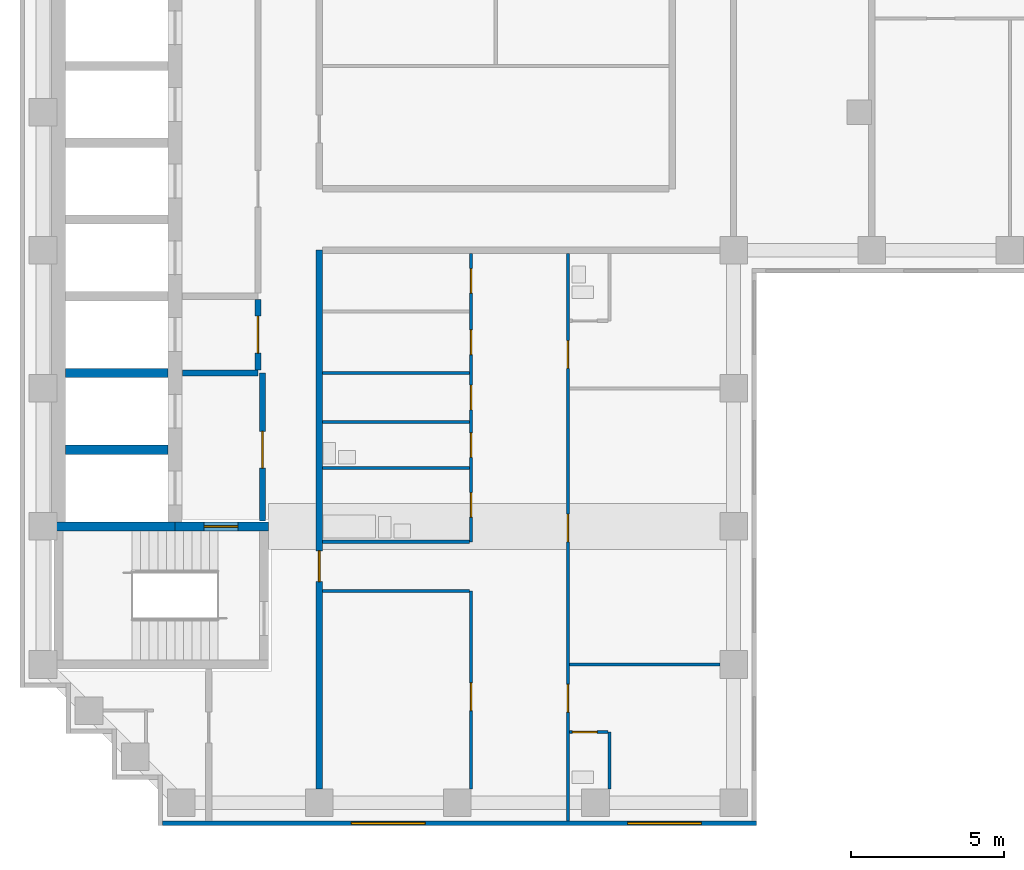
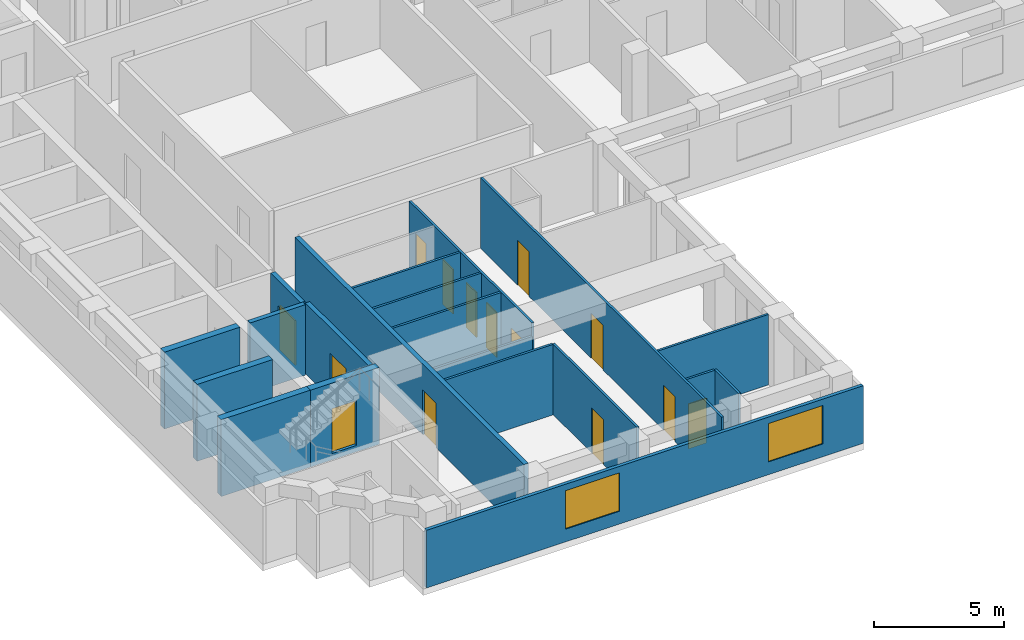
# One storey, part 2 of 8: 20 walls, 14 doors, 2 windows, 16 openings.
"""IFC4 building model written with IfcOpenShell, lengths in metres."""

from ifc_helpers import new_model, si_unit, direction, frame, frame_2d, origin, place, context, subcontext, project, spatial, rectangle, extrude, material, layer, layer_set, type_object, element, fill, save


model = new_model("IFC4")

# Units and contexts
model_context = context("Model", 3, precision=1e-05, world=origin(), true_north=direction((0.0, 1.0)))
body_context = subcontext(model_context, "Body", "Model", "MODEL_VIEW")
ifc_project = project(units=[si_unit("LENGTHUNIT", "METRE"), si_unit("AREAUNIT", "SQUARE_METRE"), si_unit("VOLUMEUNIT", "CUBIC_METRE"), si_unit("PLANEANGLEUNIT", "RADIAN"), si_unit("MASSUNIT", "GRAM", prefix="KILO")], contexts=[model_context])

# Site, building, storey
site_placement = place(None, origin())
site = spatial("IfcSite", under=ifc_project, at=site_placement, CompositionType="ELEMENT")
building_placement = place(site_placement, origin())
building = spatial("IfcBuilding", under=site, at=building_placement, Name="Firuza Court", CompositionType="ELEMENT")
storey_placement = place(building_placement, frame((0.0, 0.0, 251.0)))
storey = spatial("IfcBuildingStorey", under=building, at=storey_placement, Name="L65", CompositionType="ELEMENT", Elevation=251.0)

# Wall
ifc_material_1 = material(Name="Moisture-resistant gypsum board partition")
ifc_layer_1 = layer(ifc_material_1, 0.10009765625)
ifc_layer_set_1 = layer_set([ifc_layer_1], Name="Moisture-resistant gypsum board partition")
wall_type_1 = type_object("IfcWallType", Name="Bathroom partition 100", PredefinedType="PLUMBINGWALL", material=ifc_layer_set_1)
wall_1_placement = place(storey_placement, frame((18.449951171875, 18.449951171875, 0.0), z_axis=(0.0, 0.0, 1.0), x_axis=(0.0, 1.0, 0.0)))
element("IfcWall", 1, at=wall_1_placement, inside=storey, type_object=wall_type_1, Name="Bathroom partition 100 L65", PredefinedType="PLUMBINGWALL", context=body_context, shape_type="SweptSolid", body=[
    extrude(rectangle(XDim=1.85009765625, YDim=0.10009765625, at=frame_2d((0.925048828125, 0.0))), origin(), (0.0, 0.0, 1.0), 3.300048828125),
])

# Wall, opening, door
wall_2_placement = place(storey_placement, frame((17.14990234375, 20.300048828125, 0.0), z_axis=(0.0, 0.0, 1.0), x_axis=(1.0, 0.0, 0.0)))
wall_2 = element("IfcWall", 2, at=wall_2_placement, inside=storey, type_object=wall_type_1, Name="Bathroom partition 100 L65", PredefinedType="PLUMBINGWALL", context=body_context, shape_type="SweptSolid", body=[
    extrude(rectangle(XDim=1.25, YDim=0.10009765625, at=frame_2d((0.625, 0.0))), origin(), (0.0, 0.0, 1.0), 3.300048828125),
])
opening_1_placement = place(wall_2_placement, frame((0.10009765625, 0.0, 0.0)))
opening_1 = element("IfcOpeningElement", 3, at=opening_1_placement, cuts=wall_2, Name="Opening D65018", PredefinedType="OPENING", context=body_context, shape_type="SweptSolid", body=[
    extrude(rectangle(XDim=0.800048828125, YDim=2.10009765625, at=frame_2d((0.39990234375, 1.050048828125))), frame((0.0, 0.06201171875, 0.0), z_axis=(0.0, -1.0, 0.0), x_axis=(1.0, 0.0, 0.0)), (0.0, 0.0, 1.0), 0.1240234375),
])
ifc_material_2 = material(Name="Timber door leaf in hardwood frame", Category="wood")
door_type_1 = type_object("IfcDoorType", Name="Bathroom door 800", OperationType="SINGLE_SWING_LEFT", PredefinedType="DOOR", material=ifc_material_2)
door_1_placement = place(opening_1_placement, frame((0.800048828125, 0.0, 0.0), z_axis=(0.0, 0.0, 1.0), x_axis=(-1.0, 0.0, 0.0)))
door_1 = element("IfcDoor", 4, at=door_1_placement, inside=storey, type_object=door_type_1, Name="En-suite door", OperationType="SINGLE_SWING_RIGHT", OverallHeight=2.10009765625, OverallWidth=0.800048828125, PredefinedType="DOOR", context=body_context, shape_type="SweptSolid", body=[
    extrude(rectangle(XDim=0.800048828125, YDim=2.10009765625, at=frame_2d((0.39990234375, 1.050048828125))), frame((0.0, 0.02490234375, 0.0), z_axis=(0.0, -1.0, 0.0), x_axis=(1.0, 0.0, 0.0)), (0.0, 0.0, 1.0), 0.050048828125),
])
fill(opening_1, door_1)

# Walls
wall_3_placement = place(storey_placement, frame((9.10009765625, 26.5, 0.0), z_axis=(0.0, 0.0, 1.0), x_axis=(1.0, 0.0, 0.0)))
element("IfcWall", 5, at=wall_3_placement, inside=storey, type_object=wall_type_1, Name="Bathroom partition 100 L65", PredefinedType="PLUMBINGWALL", context=body_context, shape_type="SweptSolid", body=[
    extrude(rectangle(XDim=4.7998046875, YDim=0.10009765625, at=frame_2d((2.39990234375, 0.0))), origin(), (0.0, 0.0, 1.0), 2.699951171875),
])
for number, where, z_axis, x_axis, name in (
    (6, (9.10009765625, 28.89990234375, 0.0), (0.0, 0.0, 1.0), (1.0, 0.0, 0.0), "Bathroom partition 100 L65"),
    (7, (9.10009765625, 30.39990234375, 0.0), (0.0, 0.0, 1.0), (1.0, 0.0, 0.0), "Bathroom partition 100 L65"),
):
    element("IfcWall", number, at=place(storey_placement, frame(where, z_axis=z_axis, x_axis=x_axis)), inside=storey, type_object=wall_type_1, Name=name, PredefinedType="PLUMBINGWALL", context=body_context, shape_type="SweptSolid", body=[
        extrude(rectangle(XDim=4.7998046875, YDim=0.10009765625, at=frame_2d((2.39990234375, 0.0))), origin(), (0.0, 0.0, 1.0), 3.300048828125),
    ])
ifc_material_3 = material(Name="Concrete C50/60", Category="concrete")
ifc_layer_2 = layer(ifc_material_3, 0.300048828125)
ifc_layer_set_2 = layer_set([ifc_layer_2], Name="Concrete C50/60")
wall_type_2 = type_object("IfcWallType", Name="Core wall 300 C50/60", PredefinedType="SHEAR", material=ifc_layer_set_2)
wall_4_placement = place(storey_placement, frame((0.35009765625, 27.0, -0.300048828125), z_axis=(0.0, 0.0, 1.0), x_axis=(1.0, 0.0, 0.0)))
element("IfcWall", 8, at=wall_4_placement, inside=storey, type_object=wall_type_2, Name="Core wall lift shaft L65", PredefinedType="SHEAR", context=body_context, shape_type="SweptSolid", body=[
    extrude(rectangle(XDim=3.949951171875, YDim=0.300048828125, at=frame_2d((1.97509765625, 0.0))), origin(), (0.0, 0.0, 1.0), 3.60009765625),
])
for number, where, z_axis, x_axis, name in (
    (9, (0.72509765625, 29.5, -0.300048828125), (0.0, 0.0, 1.0), (1.0, 0.0, 0.0), "Core wall lift shaft L65"),
    (10, (0.72509765625, 32.0, -0.300048828125), (0.0, 0.0, 1.0), (1.0, 0.0, 0.0), "Core wall lift shaft L65"),
):
    element("IfcWall", number, at=place(storey_placement, frame(where, z_axis=z_axis, x_axis=x_axis)), inside=storey, type_object=wall_type_2, Name=name, PredefinedType="SHEAR", context=body_context, shape_type="SweptSolid", body=[
        extrude(rectangle(XDim=3.349853515625, YDim=0.300048828125, at=frame_2d((1.6748046875, 0.0))), origin(), (0.0, 0.0, 1.0), 3.60009765625),
    ])

# Wall, opening, door
wall_5_placement = place(storey_placement, frame((4.300048828125, 27.0, -0.300048828125), z_axis=(0.0, 0.0, 1.0), x_axis=(1.0, 0.0, 0.0)))
wall_5 = element("IfcWall", 11, at=wall_5_placement, inside=storey, type_object=wall_type_2, Name="Core wall stair L65", PredefinedType="SHEAR", context=body_context, shape_type="SweptSolid", body=[
    extrude(rectangle(XDim=3.050048828125, YDim=0.300048828125, at=frame_2d((1.52490234375, 0.0))), origin(), (0.0, 0.0, 1.0), 3.60009765625),
])
opening_2_placement = place(wall_5_placement, frame((0.949951171875, 0.0, 0.300048828125)))
opening_2 = element("IfcOpeningElement", 12, at=opening_2_placement, cuts=wall_5, Name="Opening D65009", PredefinedType="OPENING", context=body_context, shape_type="SweptSolid", body=[
    extrude(rectangle(XDim=1.10009765625, YDim=2.10009765625, at=frame_2d((0.550048828125, 1.050048828125))), frame((0.0, 0.162109375, 0.0), z_axis=(0.0, -1.0, 0.0), x_axis=(1.0, 0.0, 0.0)), (0.0, 0.0, 1.0), 0.323974609375),
])
ifc_material_4 = material(Name="Timber door leaf in hardwood frame", Category="wood")
door_type_2 = type_object("IfcDoorType", Name="Stair door 1100", OperationType="SINGLE_SWING_LEFT", PredefinedType="DOOR", material=ifc_material_4)
door_2_placement = place(opening_2_placement, frame((1.10009765625, 0.0, 0.0), z_axis=(0.0, 0.0, 1.0), x_axis=(-1.0, 0.0, 0.0)))
door_2 = element("IfcDoor", 13, at=door_2_placement, inside=storey, type_object=door_type_2, Name="Fire-fighting lobby door", OperationType="SINGLE_SWING_LEFT", OverallHeight=2.10009765625, OverallWidth=1.10009765625, PredefinedType="DOOR", context=body_context, shape_type="SweptSolid", body=[
    extrude(rectangle(XDim=1.10009765625, YDim=2.10009765625, at=frame_2d((0.550048828125, 1.050048828125))), frame((0.0, 0.02490234375, 0.0), z_axis=(0.0, -1.0, 0.0), x_axis=(1.0, 0.0, 0.0)), (0.0, 0.0, 1.0), 0.050048828125),
])
fill(opening_2, door_2)

ifc_material_5 = material(Name="Blockwork, plastered both sides", Category="masonry")
ifc_layer_3 = layer(ifc_material_5, 0.199951171875)
ifc_layer_set_3 = layer_set([ifc_layer_3], Name="Blockwork, plastered both sides")
wall_type_3 = type_object("IfcWallType", Name="Corridor wall 200", PredefinedType="PARTITIONING", material=ifc_layer_set_3)
wall_6_placement = place(storey_placement, frame((9.0, 18.449951171875, 0.0), z_axis=(0.0, 0.0, 1.0), x_axis=(0.0, 1.0, 0.0)))
wall_6 = element("IfcWall", 14, at=wall_6_placement, inside=storey, type_object=wall_type_3, Name="Corridor wall 200 L65", PredefinedType="PARTITIONING", context=body_context, shape_type="SweptSolid", body=[
    extrude(rectangle(XDim=17.550048828125, YDim=0.199951171875, at=frame_2d((8.77490234375, 0.0))), origin(), (0.0, 0.0, 1.0), 3.300048828125),
])
opening_3_placement = place(wall_6_placement, frame((6.75, 0.0, 0.0)))
opening_3 = element("IfcOpeningElement", 15, at=opening_3_placement, cuts=wall_6, Name="Opening D65016", PredefinedType="OPENING", context=body_context, shape_type="SweptSolid", body=[
    extrude(rectangle(XDim=1.0, YDim=2.10009765625, at=frame_2d((0.5, 1.050048828125))), frame((0.0, 0.11181640625, 0.0), z_axis=(0.0, -1.0, 0.0), x_axis=(1.0, 0.0, 0.0)), (0.0, 0.0, 1.0), 0.223876953125),
])
ifc_material_6 = material(Name="Timber door leaf in hardwood frame", Category="wood")
door_type_3 = type_object("IfcDoorType", Name="Flat entrance door 1000", OperationType="SINGLE_SWING_LEFT", PredefinedType="DOOR", material=ifc_material_6)
door_3_placement = place(opening_3_placement, origin())
door_3 = element("IfcDoor", 16, at=door_3_placement, inside=storey, type_object=door_type_3, Name="Flat entrance door", OperationType="SINGLE_SWING_LEFT", OverallHeight=2.10009765625, OverallWidth=1.0, PredefinedType="DOOR", context=body_context, shape_type="SweptSolid", body=[
    extrude(rectangle(XDim=1.0, YDim=2.10009765625, at=frame_2d((0.5, 1.050048828125))), frame((0.0, 0.02490234375, 0.0), z_axis=(0.0, -1.0, 0.0), x_axis=(1.0, 0.0, 0.0)), (0.0, 0.0, 1.0), 0.050048828125),
])
fill(opening_3, door_3)

# Wall, openings, doors
ifc_material_7 = material(Name="Timber stud partition, plasterboard both sides", Category="wood")
ifc_layer_4 = layer(ifc_material_7, 0.10009765625)
ifc_layer_set_4 = layer_set([ifc_layer_4], Name="Timber stud partition, plasterboard both sides")
wall_type_4 = type_object("IfcWallType", Name="Partition wall 100", PredefinedType="PARTITIONING", material=ifc_layer_set_4)
wall_7_placement = place(storey_placement, frame((17.10009765625, 17.39990234375, 0.0), z_axis=(0.0, 0.0, 1.0), x_axis=(0.0, 1.0, 0.0)))
wall_7 = element("IfcWall", 17, at=wall_7_placement, inside=storey, type_object=wall_type_4, Name="Partition wall 100 L65", PredefinedType="PARTITIONING", context=body_context, shape_type="SweptSolid", body=[
    extrude(rectangle(XDim=18.5, YDim=0.10009765625, at=frame_2d((9.25, 0.0))), origin(), (0.0, 0.0, 1.0), 3.300048828125),
])
opening_4_placement = place(wall_7_placement, frame((3.550048828125, 0.0, 0.0)))
opening_4 = element("IfcOpeningElement", 18, at=opening_4_placement, cuts=wall_7, Name="Opening D65013", PredefinedType="OPENING", context=body_context, shape_type="SweptSolid", body=[
    extrude(rectangle(XDim=0.89990234375, YDim=2.10009765625, at=frame_2d((0.449951171875, 1.050048828125))), frame((0.0, 0.06201171875, 0.0), z_axis=(0.0, -1.0, 0.0), x_axis=(1.0, 0.0, 0.0)), (0.0, 0.0, 1.0), 0.1240234375),
])
opening_5_placement = place(wall_7_placement, frame((9.10009765625, 0.0, 0.0)))
opening_5 = element("IfcOpeningElement", 19, at=opening_5_placement, cuts=wall_7, Name="Opening D65014", PredefinedType="OPENING", context=body_context, shape_type="SweptSolid", body=[
    extrude(rectangle(XDim=0.89990234375, YDim=2.10009765625, at=frame_2d((0.449951171875, 1.050048828125))), frame((0.0, 0.06201171875, 0.0), z_axis=(0.0, -1.0, 0.0), x_axis=(1.0, 0.0, 0.0)), (0.0, 0.0, 1.0), 0.1240234375),
])
opening_6_placement = place(wall_7_placement, frame((14.75, 0.0, 0.0)))
opening_6 = element("IfcOpeningElement", 20, at=opening_6_placement, cuts=wall_7, Name="Opening D65015", PredefinedType="OPENING", context=body_context, shape_type="SweptSolid", body=[
    extrude(rectangle(XDim=0.89990234375, YDim=2.10009765625, at=frame_2d((0.449951171875, 1.050048828125))), frame((0.0, 0.06201171875, 0.0), z_axis=(0.0, -1.0, 0.0), x_axis=(1.0, 0.0, 0.0)), (0.0, 0.0, 1.0), 0.1240234375),
])
ifc_material_8 = material(Name="Timber door leaf in hardwood frame", Category="wood")
door_type_4 = type_object("IfcDoorType", Name="Room door 900", OperationType="SINGLE_SWING_LEFT", PredefinedType="DOOR", material=ifc_material_8)
door_4_placement = place(opening_4_placement, frame((0.89990234375, 0.0, 0.0), z_axis=(0.0, 0.0, 1.0), x_axis=(-1.0, 0.0, 0.0)))
door_4 = element("IfcDoor", 21, at=door_4_placement, inside=storey, type_object=door_type_4, Name="Bedroom door", OperationType="SINGLE_SWING_RIGHT", OverallHeight=2.10009765625, OverallWidth=0.89990234375, PredefinedType="DOOR", context=body_context, shape_type="SweptSolid", body=[
    extrude(rectangle(XDim=0.89990234375, YDim=2.10009765625, at=frame_2d((0.449951171875, 1.050048828125))), frame((0.0, 0.02490234375, 0.0), z_axis=(0.0, -1.0, 0.0), x_axis=(1.0, 0.0, 0.0)), (0.0, 0.0, 1.0), 0.050048828125),
])
fill(opening_4, door_4)
door_5_placement = place(opening_5_placement, frame((0.89990234375, 0.0, 0.0), z_axis=(0.0, 0.0, 1.0), x_axis=(-1.0, 0.0, 0.0)))
door_5 = element("IfcDoor", 22, at=door_5_placement, inside=storey, type_object=door_type_4, Name="Living room door", OperationType="SINGLE_SWING_RIGHT", OverallHeight=2.10009765625, OverallWidth=0.89990234375, PredefinedType="DOOR", context=body_context, shape_type="SweptSolid", body=[
    extrude(rectangle(XDim=0.89990234375, YDim=2.10009765625, at=frame_2d((0.449951171875, 1.050048828125))), frame((0.0, 0.02490234375, 0.0), z_axis=(0.0, -1.0, 0.0), x_axis=(1.0, 0.0, 0.0)), (0.0, 0.0, 1.0), 0.050048828125),
])
fill(opening_5, door_5)
door_6_placement = place(opening_6_placement, frame((0.89990234375, 0.0, 0.0), z_axis=(0.0, 0.0, 1.0), x_axis=(-1.0, 0.0, 0.0)))
door_6 = element("IfcDoor", 23, at=door_6_placement, inside=storey, type_object=door_type_4, Name="Bedroom door", OperationType="SINGLE_SWING_RIGHT", OverallHeight=2.10009765625, OverallWidth=0.89990234375, PredefinedType="DOOR", context=body_context, shape_type="SweptSolid", body=[
    extrude(rectangle(XDim=0.89990234375, YDim=2.10009765625, at=frame_2d((0.449951171875, 1.050048828125))), frame((0.0, 0.02490234375, 0.0), z_axis=(0.0, -1.0, 0.0), x_axis=(1.0, 0.0, 0.0)), (0.0, 0.0, 1.0), 0.050048828125),
])
fill(opening_6, door_6)

# Wall, opening, door
wall_8_placement = place(storey_placement, frame((13.949951171875, 18.449951171875, 0.0), z_axis=(0.0, 0.0, 1.0), x_axis=(0.0, 1.0, 0.0)))
wall_8 = element("IfcWall", 24, at=wall_8_placement, inside=storey, type_object=wall_type_4, Name="Partition wall 100 L65", PredefinedType="PARTITIONING", context=body_context, shape_type="SweptSolid", body=[
    extrude(rectangle(XDim=6.449951171875, YDim=0.10009765625, at=frame_2d((3.22509765625, 0.0))), origin(), (0.0, 0.0, 1.0), 3.300048828125),
])
opening_7_placement = place(wall_8_placement, frame((2.550048828125, 0.0, 0.0)))
opening_7 = element("IfcOpeningElement", 25, at=opening_7_placement, cuts=wall_8, Name="Opening D65017", PredefinedType="OPENING", context=body_context, shape_type="SweptSolid", body=[
    extrude(rectangle(XDim=0.89990234375, YDim=2.10009765625, at=frame_2d((0.449951171875, 1.050048828125))), frame((0.0, 0.06201171875, 0.0), z_axis=(0.0, -1.0, 0.0), x_axis=(1.0, 0.0, 0.0)), (0.0, 0.0, 1.0), 0.1240234375),
])
door_7_placement = place(opening_7_placement, origin())
door_7 = element("IfcDoor", 26, at=door_7_placement, inside=storey, type_object=door_type_4, Name="Kitchen door", OperationType="SINGLE_SWING_LEFT", OverallHeight=2.10009765625, OverallWidth=0.89990234375, PredefinedType="DOOR", context=body_context, shape_type="SweptSolid", body=[
    extrude(rectangle(XDim=0.89990234375, YDim=2.10009765625, at=frame_2d((0.449951171875, 1.050048828125))), frame((0.0, 0.02490234375, 0.0), z_axis=(0.0, -1.0, 0.0), x_axis=(1.0, 0.0, 0.0)), (0.0, 0.0, 1.0), 0.050048828125),
])
fill(opening_7, door_7)

# Walls
wall_9_placement = place(storey_placement, frame((17.14990234375, 22.5, 0.0), z_axis=(0.0, 0.0, 1.0), x_axis=(1.0, 0.0, 0.0)))
element("IfcWall", 27, at=wall_9_placement, inside=storey, type_object=wall_type_4, Name="Partition wall 100 L65", PredefinedType="PARTITIONING", context=body_context, shape_type="SweptSolid", body=[
    extrude(rectangle(XDim=4.900146484375, YDim=0.10009765625, at=frame_2d((2.4501953125, 0.0))), origin(), (0.0, 0.0, 1.0), 3.300048828125),
])
wall_10_placement = place(storey_placement, frame((9.10009765625, 24.89990234375, 0.0), z_axis=(0.0, 0.0, 1.0), x_axis=(1.0, 0.0, 0.0)))
element("IfcWall", 28, at=wall_10_placement, inside=storey, type_object=wall_type_4, Name="Partition wall 100 L65", PredefinedType="PARTITIONING", context=body_context, shape_type="SweptSolid", body=[
    extrude(rectangle(XDim=4.7998046875, YDim=0.10009765625, at=frame_2d((2.39990234375, 0.0))), origin(), (0.0, 0.0, 1.0), 3.300048828125),
])

# Wall, openings, doors
wall_11_placement = place(storey_placement, frame((13.949951171875, 26.5, 0.0), z_axis=(0.0, 0.0, 1.0), x_axis=(0.0, 1.0, 0.0)))
wall_11 = element("IfcWall", 29, at=wall_11_placement, inside=storey, type_object=wall_type_4, Name="Partition wall 100 L65", PredefinedType="PARTITIONING", context=body_context, shape_type="SweptSolid", body=[
    extrude(rectangle(XDim=9.39990234375, YDim=0.10009765625, at=frame_2d((4.699951171875, 0.0))), origin(), (0.0, 0.0, 1.0), 3.300048828125),
])
opening_8_placement = place(wall_11_placement, frame((0.800048828125, 0.0, 0.0)))
opening_8 = element("IfcOpeningElement", 30, at=opening_8_placement, cuts=wall_11, Name="Opening D65019", PredefinedType="OPENING", context=body_context, shape_type="SweptSolid", body=[
    extrude(rectangle(XDim=0.800048828125, YDim=2.10009765625, at=frame_2d((0.39990234375, 1.050048828125))), frame((0.0, 0.06201171875, 0.0), z_axis=(0.0, -1.0, 0.0), x_axis=(1.0, 0.0, 0.0)), (0.0, 0.0, 1.0), 0.1240234375),
])
opening_9_placement = place(wall_11_placement, frame((8.10009765625, 0.0, 0.0)))
opening_9 = element("IfcOpeningElement", 31, at=opening_9_placement, cuts=wall_11, Name="Opening D65020", PredefinedType="OPENING", context=body_context, shape_type="SweptSolid", body=[
    extrude(rectangle(XDim=0.800048828125, YDim=2.10009765625, at=frame_2d((0.39990234375, 1.050048828125))), frame((0.0, 0.06201171875, 0.0), z_axis=(0.0, -1.0, 0.0), x_axis=(1.0, 0.0, 0.0)), (0.0, 0.0, 1.0), 0.1240234375),
])
opening_10_placement = place(wall_11_placement, frame((4.300048828125, 0.0, 0.0)))
opening_10 = element("IfcOpeningElement", 32, at=opening_10_placement, cuts=wall_11, Name="Opening D65021", PredefinedType="OPENING", context=body_context, shape_type="SweptSolid", body=[
    extrude(rectangle(XDim=0.800048828125, YDim=2.10009765625, at=frame_2d((0.39990234375, 1.050048828125))), frame((0.0, 0.06201171875, 0.0), z_axis=(0.0, -1.0, 0.0), x_axis=(1.0, 0.0, 0.0)), (0.0, 0.0, 1.0), 0.1240234375),
])
opening_11_placement = place(wall_11_placement, frame((6.10009765625, 0.0, 0.0)))
opening_11 = element("IfcOpeningElement", 33, at=opening_11_placement, cuts=wall_11, Name="Opening D65022", PredefinedType="OPENING", context=body_context, shape_type="SweptSolid", body=[
    extrude(rectangle(XDim=0.800048828125, YDim=2.10009765625, at=frame_2d((0.39990234375, 1.050048828125))), frame((0.0, 0.06201171875, 0.0), z_axis=(0.0, -1.0, 0.0), x_axis=(1.0, 0.0, 0.0)), (0.0, 0.0, 1.0), 0.1240234375),
])
opening_12_placement = place(wall_11_placement, frame((2.75, 0.0, 0.0)))
opening_12 = element("IfcOpeningElement", 34, at=opening_12_placement, cuts=wall_11, Name="Opening D65023", PredefinedType="OPENING", context=body_context, shape_type="SweptSolid", body=[
    extrude(rectangle(XDim=0.800048828125, YDim=2.10009765625, at=frame_2d((0.39990234375, 1.050048828125))), frame((0.0, 0.06201171875, 0.0), z_axis=(0.0, -1.0, 0.0), x_axis=(1.0, 0.0, 0.0)), (0.0, 0.0, 1.0), 0.1240234375),
])
door_8_placement = place(opening_8_placement, origin())
door_8 = element("IfcDoor", 35, at=door_8_placement, inside=storey, type_object=door_type_1, Name="Bathroom door", OperationType="SINGLE_SWING_LEFT", OverallHeight=2.10009765625, OverallWidth=0.800048828125, PredefinedType="DOOR", context=body_context, shape_type="SweptSolid", body=[
    extrude(rectangle(XDim=0.800048828125, YDim=2.10009765625, at=frame_2d((0.39990234375, 1.050048828125))), frame((0.0, 0.02490234375, 0.0), z_axis=(0.0, -1.0, 0.0), x_axis=(1.0, 0.0, 0.0)), (0.0, 0.0, 1.0), 0.050048828125),
])
fill(opening_8, door_8)
door_9_placement = place(opening_12_placement, origin())
door_9 = element("IfcDoor", 36, at=door_9_placement, inside=storey, type_object=door_type_1, Name="Powder room door", OperationType="SINGLE_SWING_LEFT", OverallHeight=2.10009765625, OverallWidth=0.800048828125, PredefinedType="DOOR", context=body_context, shape_type="SweptSolid", body=[
    extrude(rectangle(XDim=0.800048828125, YDim=2.10009765625, at=frame_2d((0.39990234375, 1.050048828125))), frame((0.0, 0.02490234375, 0.0), z_axis=(0.0, -1.0, 0.0), x_axis=(1.0, 0.0, 0.0)), (0.0, 0.0, 1.0), 0.050048828125),
])
fill(opening_12, door_9)
ifc_material_9 = material(Name="Timber door leaf in hardwood frame", Category="wood")
door_type_5 = type_object("IfcDoorType", Name="Room door 800", OperationType="SINGLE_SWING_LEFT", PredefinedType="DOOR", material=ifc_material_9)
door_10_placement = place(opening_9_placement, origin())
door_10 = element("IfcDoor", 37, at=door_10_placement, inside=storey, type_object=door_type_5, Name="Pantry door", OperationType="SINGLE_SWING_LEFT", OverallHeight=2.10009765625, OverallWidth=0.800048828125, PredefinedType="DOOR", context=body_context, shape_type="SweptSolid", body=[
    extrude(rectangle(XDim=0.800048828125, YDim=2.10009765625, at=frame_2d((0.39990234375, 1.050048828125))), frame((0.0, 0.02490234375, 0.0), z_axis=(0.0, -1.0, 0.0), x_axis=(1.0, 0.0, 0.0)), (0.0, 0.0, 1.0), 0.050048828125),
])
fill(opening_9, door_10)
door_11_placement = place(opening_10_placement, origin())
door_11 = element("IfcDoor", 38, at=door_11_placement, inside=storey, type_object=door_type_5, Name="Store door", OperationType="SINGLE_SWING_LEFT", OverallHeight=2.10009765625, OverallWidth=0.800048828125, PredefinedType="DOOR", context=body_context, shape_type="SweptSolid", body=[
    extrude(rectangle(XDim=0.800048828125, YDim=2.10009765625, at=frame_2d((0.39990234375, 1.050048828125))), frame((0.0, 0.02490234375, 0.0), z_axis=(0.0, -1.0, 0.0), x_axis=(1.0, 0.0, 0.0)), (0.0, 0.0, 1.0), 0.050048828125),
])
fill(opening_10, door_11)
door_12_placement = place(opening_11_placement, origin())
door_12 = element("IfcDoor", 39, at=door_12_placement, inside=storey, type_object=door_type_5, Name="Utility room door", OperationType="SINGLE_SWING_LEFT", OverallHeight=2.10009765625, OverallWidth=0.800048828125, PredefinedType="DOOR", context=body_context, shape_type="SweptSolid", body=[
    extrude(rectangle(XDim=0.800048828125, YDim=2.10009765625, at=frame_2d((0.39990234375, 1.050048828125))), frame((0.0, 0.02490234375, 0.0), z_axis=(0.0, -1.0, 0.0), x_axis=(1.0, 0.0, 0.0)), (0.0, 0.0, 1.0), 0.050048828125),
])
fill(opening_11, door_12)

# Wall
wall_12_placement = place(storey_placement, frame((9.10009765625, 32.0, 0.0), z_axis=(0.0, 0.0, 1.0), x_axis=(1.0, 0.0, 0.0)))
element("IfcWall", 40, at=wall_12_placement, inside=storey, type_object=wall_type_4, Name="Partition wall 100 L65", PredefinedType="PARTITIONING", context=body_context, shape_type="SweptSolid", body=[
    extrude(rectangle(XDim=4.7998046875, YDim=0.10009765625, at=frame_2d((2.39990234375, 0.0))), origin(), (0.0, 0.0, 1.0), 3.300048828125),
])

# Wall, openings, windows
ifc_material_10 = material(Name="Ceramic tile", Category="ceramic")
ifc_layer_5 = layer(ifc_material_10, 0.02001953125)
ifc_material_11 = material(Name="Mineral wool insulation", Category="insulation")
ifc_layer_6 = layer(ifc_material_11, 0.050048828125)
ifc_material_12 = material(Name="Concrete C40/50 precast", Category="concrete")
ifc_layer_7 = layer(ifc_material_12, 0.080078125)
ifc_layer_set_5 = layer_set([ifc_layer_5, ifc_layer_6, ifc_layer_7], Name="Concrete C40/50 precast")
wall_type_5 = type_object("IfcWallType", Name="Precast cladding wall with turquoise TILE PANEL face 150", PredefinedType="STANDARD", material=ifc_layer_set_5)
wall_13_placement = place(storey_placement, frame((3.89990234375, 17.324951171875, 0.0), z_axis=(0.0, 0.0, 1.0), x_axis=(1.0, 0.0, 0.0)))
wall_13 = element("IfcWall", 41, at=wall_13_placement, inside=storey, type_object=wall_type_5, Name="Facade wall L65 S", PredefinedType="STANDARD", context=body_context, shape_type="SweptSolid", body=[
    extrude(rectangle(XDim=19.35009765625, YDim=0.14990234375, at=frame_2d((9.675048828125, 0.0))), origin(), (0.0, 0.0, 1.0), 2.699951171875),
])
opening_13_placement = place(wall_13_placement, frame((6.14990234375, 0.0, 0.60009765625)))
opening_13 = element("IfcOpeningElement", 42, at=opening_13_placement, cuts=wall_13, Name="Opening W1", PredefinedType="OPENING", context=body_context, shape_type="SweptSolid", body=[
    extrude(rectangle(XDim=2.39990234375, YDim=1.800048828125, at=frame_2d((1.199951171875, 0.89990234375))), frame((0.0, 0.0869140625, 0.0), z_axis=(0.0, -1.0, 0.0), x_axis=(1.0, 0.0, 0.0)), (0.0, 0.0, 1.0), 0.173828125),
])
opening_14_placement = place(wall_13_placement, frame((15.14990234375, 0.0, 0.60009765625)))
opening_14 = element("IfcOpeningElement", 43, at=opening_14_placement, cuts=wall_13, Name="Opening W1", PredefinedType="OPENING", context=body_context, shape_type="SweptSolid", body=[
    extrude(rectangle(XDim=2.39990234375, YDim=1.800048828125, at=frame_2d((1.199951171875, 0.89990234375))), frame((0.0, 0.0869140625, 0.0), z_axis=(0.0, -1.0, 0.0), x_axis=(1.0, 0.0, 0.0)), (0.0, 0.0, 1.0), 0.173828125),
])
ifc_material_13 = material(Name="Aluminium frame, triple clear glazing", Category="aluminium")
window_type = type_object("IfcWindowType", Name="Window W1 2400 x 1800", PartitioningType="SINGLE_PANEL", PredefinedType="WINDOW", material=ifc_material_13)
window_1_placement = place(opening_13_placement, origin())
window_1 = element("IfcWindow", 44, at=window_1_placement, inside=storey, type_object=window_type, Name="Window L65", OverallHeight=1.800048828125, OverallWidth=2.39990234375, PartitioningType="SINGLE_PANEL", PredefinedType="WINDOW", context=body_context, shape_type="SweptSolid", body=[
    extrude(rectangle(XDim=2.39990234375, YDim=1.800048828125, at=frame_2d((1.199951171875, 0.89990234375))), frame((0.0, 0.030029296875, 0.0), z_axis=(0.0, -1.0, 0.0), x_axis=(1.0, 0.0, 0.0)), (0.0, 0.0, 1.0), 0.06005859375),
])
fill(opening_13, window_1)
window_2_placement = place(opening_14_placement, origin())
window_2 = element("IfcWindow", 45, at=window_2_placement, inside=storey, type_object=window_type, Name="Window L65", OverallHeight=1.800048828125, OverallWidth=2.39990234375, PartitioningType="SINGLE_PANEL", PredefinedType="WINDOW", context=body_context, shape_type="SweptSolid", body=[
    extrude(rectangle(XDim=2.39990234375, YDim=1.800048828125, at=frame_2d((1.199951171875, 0.89990234375))), frame((0.0, 0.030029296875, 0.0), z_axis=(0.0, -1.0, 0.0), x_axis=(1.0, 0.0, 0.0)), (0.0, 0.0, 1.0), 0.06005859375),
])
fill(opening_14, window_2)

# Wall
ifc_material_14 = material(Name="Blockwork, fire-rated", Category="masonry")
ifc_layer_8 = layer(ifc_material_14, 0.199951171875)
ifc_layer_set_6 = layer_set([ifc_layer_8], Name="Blockwork, fire-rated")
wall_type_6 = type_object("IfcWallType", Name="Shaft wall 200", PredefinedType="PARTITIONING", material=ifc_layer_set_6)
wall_14_placement = place(storey_placement, frame((4.544921875, 32.0, 0.0), z_axis=(0.0, 0.0, 1.0), x_axis=(1.0, 0.0, 0.0)))
element("IfcWall", 46, at=wall_14_placement, inside=storey, type_object=wall_type_6, Name="Shaft wall 200 L65", PredefinedType="PARTITIONING", context=body_context, shape_type="SweptSolid", body=[
    extrude(rectangle(XDim=2.455078125, YDim=0.199951171875, at=frame_2d((1.2275390625, 0.0))), origin(), (0.0, 0.0, 1.0), 3.300048828125),
])

# Wall, opening, door
wall_15_placement = place(storey_placement, frame((7.0, 32.10009765625, 0.0), z_axis=(0.0, 0.0, 1.0), x_axis=(0.0, 1.0, 0.0)))
wall_15 = element("IfcWall", 47, at=wall_15_placement, inside=storey, type_object=wall_type_6, Name="Shaft wall 200 L65", PredefinedType="PARTITIONING", context=body_context, shape_type="SweptSolid", body=[
    extrude(rectangle(XDim=2.2998046875, YDim=0.199951171875, at=frame_2d((1.14990234375, 0.0))), origin(), (0.0, 0.0, 1.0), 3.300048828125),
])
opening_15_placement = place(wall_15_placement, frame((0.550048828125, 0.0, 0.0)))
opening_15 = element("IfcOpeningElement", 48, at=opening_15_placement, cuts=wall_15, Name="Opening D65007", PredefinedType="OPENING", context=body_context, shape_type="SweptSolid", body=[
    extrude(rectangle(XDim=1.199951171875, YDim=2.10009765625, at=frame_2d((0.60009765625, 1.050048828125))), frame((0.0, 0.11181640625, 0.0), z_axis=(0.0, -1.0, 0.0), x_axis=(1.0, 0.0, 0.0)), (0.0, 0.0, 1.0), 0.223876953125),
])
ifc_material_15 = material(Name="Timber door leaf in hardwood frame", Category="wood")
door_type_6 = type_object("IfcDoorType", Name="Lobby door 1200", OperationType="SINGLE_SWING_LEFT", PredefinedType="DOOR", material=ifc_material_15)
door_13_placement = place(opening_15_placement, origin())
door_13 = element("IfcDoor", 49, at=door_13_placement, inside=storey, type_object=door_type_6, Name="Lobby door", OperationType="SINGLE_SWING_LEFT", OverallHeight=2.10009765625, OverallWidth=1.199951171875, PredefinedType="DOOR", context=body_context, shape_type="SweptSolid", body=[
    extrude(rectangle(XDim=1.199951171875, YDim=2.10009765625, at=frame_2d((0.60009765625, 1.050048828125))), frame((0.0, 0.02490234375, 0.0), z_axis=(0.0, -1.0, 0.0), x_axis=(1.0, 0.0, 0.0)), (0.0, 0.0, 1.0), 0.050048828125),
])
fill(opening_15, door_13)

wall_16_placement = place(storey_placement, frame((7.14990234375, 27.169921875, 0.0), z_axis=(0.0, 0.0, 1.0), x_axis=(0.0, 1.0, 0.0)))
wall_16 = element("IfcWall", 50, at=wall_16_placement, inside=storey, type_object=wall_type_6, Name="Shaft wall 200 L65", PredefinedType="PARTITIONING", context=body_context, shape_type="SweptSolid", body=[
    extrude(rectangle(XDim=4.830078125, YDim=0.199951171875, at=frame_2d((2.4150390625, 0.0))), origin(), (0.0, 0.0, 1.0), 3.300048828125),
])
opening_16_placement = place(wall_16_placement, frame((1.72998046875, 0.0, 0.0)))
opening_16 = element("IfcOpeningElement", 51, at=opening_16_placement, cuts=wall_16, Name="Opening D65002", PredefinedType="OPENING", context=body_context, shape_type="SweptSolid", body=[
    extrude(rectangle(XDim=1.199951171875, YDim=2.10009765625, at=frame_2d((0.60009765625, 1.050048828125))), frame((0.0, 0.11181640625, 0.0), z_axis=(0.0, -1.0, 0.0), x_axis=(1.0, 0.0, 0.0)), (0.0, 0.0, 1.0), 0.223876953125),
])
door_14_placement = place(opening_16_placement, origin())
door_14 = element("IfcDoor", 52, at=door_14_placement, inside=storey, type_object=door_type_6, Name="Fire-fighting lobby door", OperationType="SINGLE_SWING_LEFT", OverallHeight=2.10009765625, OverallWidth=1.199951171875, PredefinedType="DOOR", context=body_context, shape_type="SweptSolid", body=[
    extrude(rectangle(XDim=1.199951171875, YDim=2.10009765625, at=frame_2d((0.60009765625, 1.050048828125))), frame((0.0, 0.02490234375, 0.0), z_axis=(0.0, -1.0, 0.0), x_axis=(1.0, 0.0, 0.0)), (0.0, 0.0, 1.0), 0.050048828125),
])
fill(opening_16, door_14)

save(model, "model.ifc")
